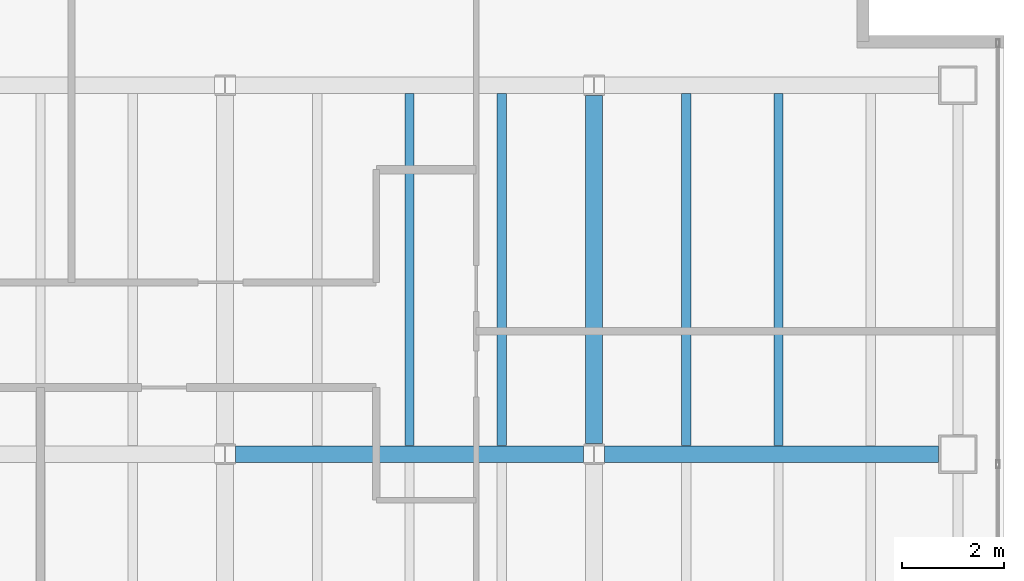
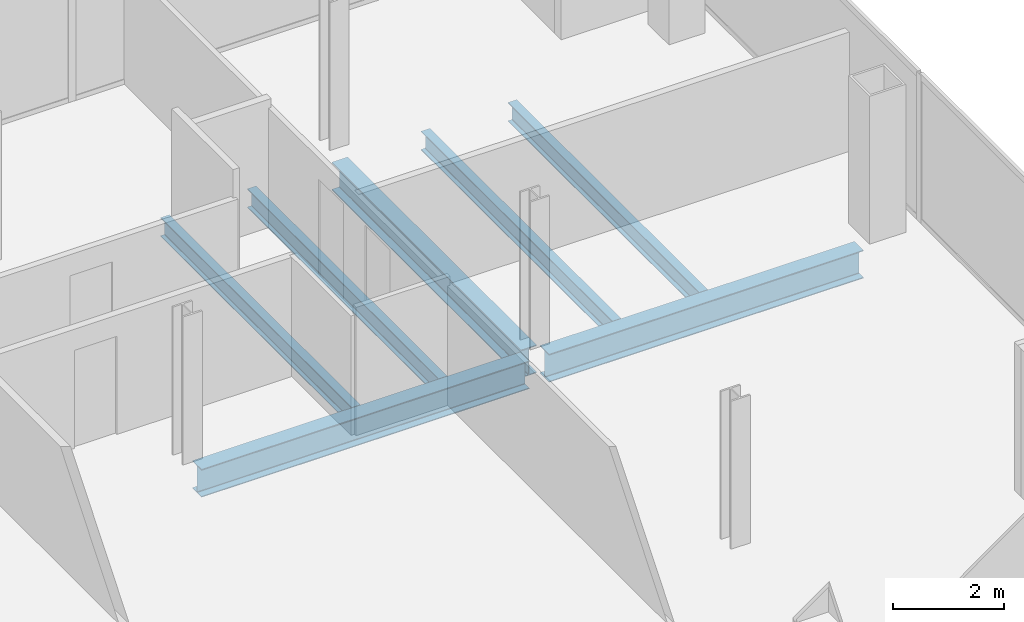
# One storey, part 13 of 23: 7 beams.
"""IFC4 building model written with IfcOpenShell, lengths in metres."""

from ifc_helpers import new_model, si_unit, direction, frame, origin, origin_2d, place, context, subcontext, project, spatial, i_section, extrude, material, material_profile, profile_set, type_object, element, save


model = new_model("IFC4")

# Units and contexts
model_context = context("Model", 3, precision=1e-05, world=origin(), true_north=direction((0.0, 1.0)))
body_context = subcontext(model_context, "Body", "Model", "MODEL_VIEW")
ifc_project = project(units=[si_unit("LENGTHUNIT", "METRE"), si_unit("AREAUNIT", "SQUARE_METRE"), si_unit("VOLUMEUNIT", "CUBIC_METRE"), si_unit("PLANEANGLEUNIT", "RADIAN"), si_unit("MASSUNIT", "GRAM", prefix="KILO")], contexts=[model_context])

# Site, building, storey
site_placement = place(None, origin())
site = spatial("IfcSite", under=ifc_project, at=site_placement, CompositionType="ELEMENT")
building_placement = place(site_placement, origin())
building = spatial("IfcBuilding", under=site, at=building_placement, Name="Cobrela Telecom Tower", CompositionType="ELEMENT")
storey_placement = place(building_placement, frame((0.0, 0.0, 211.75)))
storey = spatial("IfcBuildingStorey", under=building, at=storey_placement, Name="L54", CompositionType="ELEMENT", Elevation=211.75)

# Beams
ifc_material = material(Name="Steel ASTM A992 Grade 50", Category="steel")
ifc_material_profile_1 = material_profile(ifc_material, i_section(OverallWidth=0.324951171875, OverallDepth=0.612060546875, WebThickness=0.0126953125, FlangeThickness=0.01904296875, FilletRadius=0.014892578125, at=origin_2d()), Name="W24X104")
ifc_profile_set_1 = profile_set([ifc_material_profile_1], Name="Steel ASTM A992 Grade 50")
beam_type_1 = type_object("IfcBeamType", Name="BM-GIRD-07", PredefinedType="USERDEFINED", material=ifc_profile_set_1)
beam_1_placement = place(storey_placement, frame((29.00439453125, 14.39990234375, -0.56591796875), z_axis=(1.0, 0.0, 0.0), x_axis=(0.0, 1.0, 0.0)))
element("IfcBeam", 1, at=beam_1_placement, inside=storey, type_object=beam_type_1, Name="L54 Primary Girder X13", ObjectType="GIRDER", PredefinedType="USERDEFINED", context=body_context, shape_type="SweptSolid", body=[
    extrude(i_section(OverallWidth=0.324951171875, OverallDepth=0.612060546875, WebThickness=0.0126953125, FlangeThickness=0.01904296875, FilletRadius=0.014892578125, at=origin_2d()), origin(), (0.0, 0.0, 1.0), 6.791015625),
])
beam_2_placement = place(storey_placement, frame((36.20458984375, 14.39990234375, -0.56591796875), z_axis=(1.0, 0.0, 0.0), x_axis=(0.0, 1.0, 0.0)))
element("IfcBeam", 2, at=beam_2_placement, inside=storey, type_object=beam_type_1, Name="L54 Primary Girder X14", ObjectType="GIRDER", PredefinedType="USERDEFINED", context=body_context, shape_type="SweptSolid", body=[
    extrude(i_section(OverallWidth=0.324951171875, OverallDepth=0.612060546875, WebThickness=0.0126953125, FlangeThickness=0.01904296875, FilletRadius=0.014892578125, at=origin_2d()), origin(), (0.0, 0.0, 1.0), 6.515380859375),
])
beam_3_placement = place(storey_placement, frame((36.0, 14.6044921875, -0.56591796875), z_axis=(0.0, 1.0, 0.0), x_axis=(-1.0, 0.0, 0.0)))
element("IfcBeam", 3, at=beam_3_placement, inside=storey, type_object=beam_type_1, Name="L54 Primary Girder Y41", ObjectType="GIRDER", PredefinedType="USERDEFINED", context=body_context, shape_type="SweptSolid", body=[
    extrude(i_section(OverallWidth=0.324951171875, OverallDepth=0.612060546875, WebThickness=0.0126953125, FlangeThickness=0.01904296875, FilletRadius=0.014892578125, at=origin_2d()), origin(), (0.0, 0.0, 1.0), 6.791015625),
])
ifc_material_profile_2 = material_profile(ifc_material, i_section(OverallWidth=0.179931640625, OverallDepth=0.4169921875, WebThickness=0.010986328125, FlangeThickness=0.01806640625, FilletRadius=0.011962890625, at=origin_2d()), Name="W16X57")
ifc_profile_set_2 = profile_set([ifc_material_profile_2], Name="Steel ASTM A992 Grade 50")
beam_type_2 = type_object("IfcBeamType", Name="BM-JOIST-04", PredefinedType="JOIST", material=ifc_profile_set_2)
for number, where, z_axis, x_axis, name in (
    (4, (32.39990234375, 14.5673828125, -0.468505859375), (0.0, 1.0, 0.0), (-1.0, 0.0, 0.0), "L54 Secondary Composite Floor Beam J22"),
    (5, (34.199951171875, 14.5673828125, -0.468505859375), (0.0, 1.0, 0.0), (-1.0, 0.0, 0.0), "L54 Secondary Composite Floor Beam J24"),
    (6, (37.800048828125, 14.5673828125, -0.468505859375), (0.0, 1.0, 0.0), (-1.0, 0.0, 0.0), "L54 Secondary Composite Floor Beam J26"),
    (7, (39.60009765625, 14.5673828125, -0.468505859375), (0.0, 1.0, 0.0), (-1.0, 0.0, 0.0), "L54 Secondary Composite Floor Beam J28"),
):
    element("IfcBeam", number, at=place(storey_placement, frame(where, z_axis=z_axis, x_axis=x_axis)), inside=storey, type_object=beam_type_2, Name=name, PredefinedType="JOIST", context=body_context, shape_type="SweptSolid", body=[
        extrude(i_section(OverallWidth=0.179931640625, OverallDepth=0.4169921875, WebThickness=0.010986328125, FlangeThickness=0.01806640625, FilletRadius=0.011962890625, at=origin_2d()), origin(), (0.0, 0.0, 1.0), 6.865234375),
    ])

save(model, "model.ifc")
